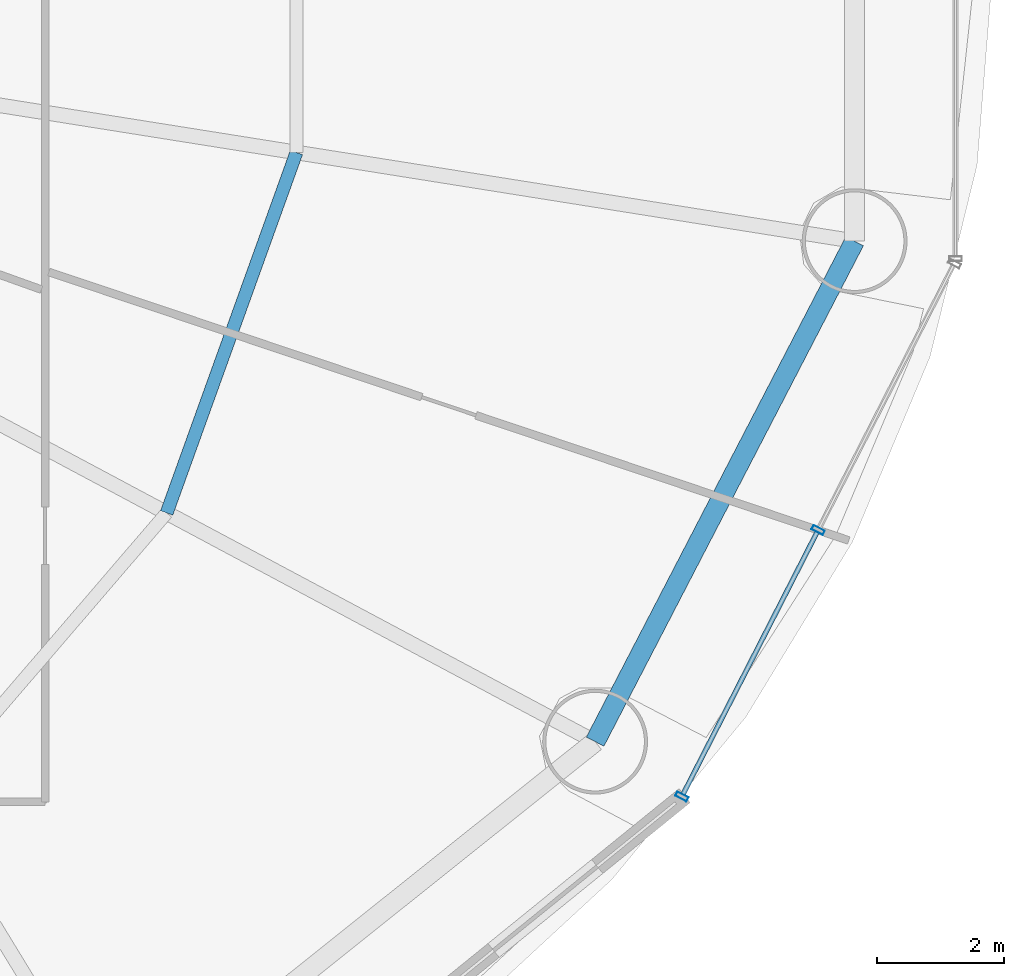
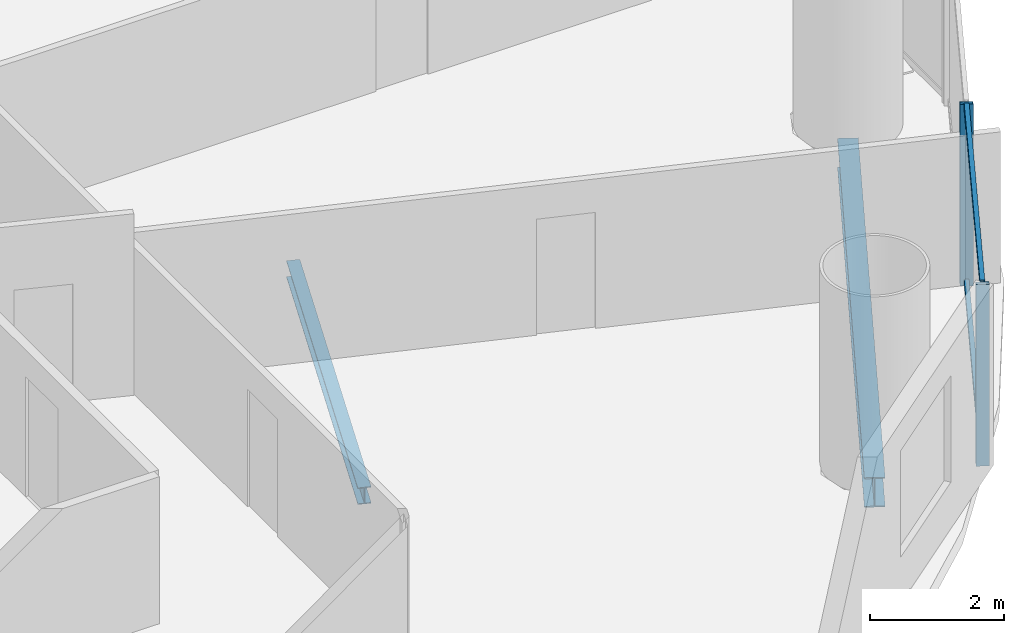
# One storey, part 13 of 30: 4 members, 2 beams, 1 element without a shape of its own.
"""IFC4 building model written with IfcOpenShell, lengths in metres."""

from ifc_helpers import new_model, si_unit, direction, frame, origin, origin_2d, place, context, subcontext, project, spatial, hollow_rectangle, i_section, extrude, source, transform, mapped, material, material_profile, profile_set, type_object, element, aggregate, save


model = new_model("IFC4")

# Units and contexts
model_context = context("Model", 3, precision=1e-05, world=origin(), true_north=direction((-0.2419218956, 0.970295726276)))
body_context = subcontext(model_context, "Body", "Model", "MODEL_VIEW")
ifc_project = project(units=[si_unit("LENGTHUNIT", "METRE"), si_unit("AREAUNIT", "SQUARE_METRE"), si_unit("VOLUMEUNIT", "CUBIC_METRE"), si_unit("PLANEANGLEUNIT", "RADIAN"), si_unit("MASSUNIT", "GRAM", prefix="KILO")], contexts=[model_context])

# Site, building, storey
site_placement = place(None, origin())
site = spatial("IfcSite", under=ifc_project, at=site_placement, CompositionType="ELEMENT")
building_placement = place(site_placement, origin())
building = spatial("IfcBuilding", under=site, at=building_placement, Name="Cobrevalo Terracotta Tower", CompositionType="ELEMENT")
storey_placement = place(building_placement, frame((0.0, 0.0, 56.39990234375)))
storey = spatial("IfcBuildingStorey", under=building, at=storey_placement, Name="L14", CompositionType="ELEMENT", Elevation=56.39990234375)

# Beams
ifc_material_1 = material(Name="Steel S355", Category="steel")
ifc_material_profile_1 = material_profile(ifc_material_1, i_section(OverallWidth=0.2041015625, OverallDepth=0.305908203125, WebThickness=0.008544921875, FlangeThickness=0.0146484375, at=origin_2d()), Name="W 310x67")
ifc_profile_set_1 = profile_set([ifc_material_profile_1], Name="Steel S355")
beam_type_1 = type_object("IfcBeamType", Name="Structural Joist W 310x67 (Steel S355)", PredefinedType="JOIST", material=ifc_profile_set_1)
beam_1_placement = place(storey_placement, frame((53.997802734375, 18.26025390625, -0.432861328125), z_axis=(0.338672151116, 0.940904444701, 0.0), x_axis=(-0.940904444701, 0.338672151116, 0.0)))
element("IfcBeam", 1, at=beam_1_placement, inside=storey, type_object=beam_type_1, Name="L14 circumferential secondary floor joist 15", PredefinedType="JOIST", context=body_context, shape_type="SweptSolid", body=[
    extrude(i_section(OverallWidth=0.2041015625, OverallDepth=0.305908203125, WebThickness=0.008544921875, FlangeThickness=0.0146484375, at=origin_2d()), origin(), (0.0, 0.0, 1.0), 6.029296875),
])
ifc_material_profile_2 = material_profile(ifc_material_1, i_section(OverallWidth=0.31201171875, OverallDepth=0.54296875, WebThickness=0.0126953125, FlangeThickness=0.020263671875, at=origin_2d()), Name="W 530x150")
ifc_profile_set_2 = profile_set([ifc_material_profile_2], Name="Steel S355")
beam_type_2 = type_object("IfcBeamType", Name="Structural Spandrel W 530x150 (Steel S355)", PredefinedType="SPANDREL", material=ifc_profile_set_2)
beam_2_placement = place(storey_placement, frame((60.74072265625, 14.660888671875, -0.551513671875), z_axis=(0.460285838799, 0.88777077368, 0.0), x_axis=(-0.88777077368, 0.460285838799, 0.0)))
element("IfcBeam", 2, at=beam_2_placement, inside=storey, type_object=beam_type_2, Name="L14 perimeter ring spandrel 15", PredefinedType="SPANDREL", context=body_context, shape_type="SweptSolid", body=[
    extrude(i_section(OverallWidth=0.31201171875, OverallDepth=0.54296875, WebThickness=0.0126953125, FlangeThickness=0.020263671875, at=origin_2d()), origin(), (0.0, 0.0, 1.0), 8.8720703125),
])

# Curtain wall, members
ifc_material_2 = material(Name="Anodized aluminium", Category="aluminium")
curtain_wall_type = type_object("IfcCurtainWallType", Name="Lower-tower unitised acoustic low-E curtain wall CW-U1", PredefinedType="NOTDEFINED", material=ifc_material_2)
curtain_wall_placement = place(storey_placement, origin())
curtain_wall = element("IfcCurtainWall", 3, at=curtain_wall_placement, inside=storey, type_object=curtain_wall_type, Name="L14 curtain wall CW-L14-S15", PredefinedType="NOTDEFINED")
ifc_material_profile_3 = material_profile(ifc_material_2, hollow_rectangle(XDim=0.074951171875, YDim=0.199951171875, WallThickness=0.0048828125, at=origin_2d()), Name="CWM 75x200")
ifc_profile_set_3 = profile_set([ifc_material_profile_3], Name="Anodized aluminium")
member_type_1 = type_object("IfcMemberType", Name="Lower/mid tower unitised mullion 75x200", PredefinedType="MULLION", material=ifc_profile_set_3)
shared_shape_1 = source(origin(), body_context, "Body", "SweptSolid", [
    extrude(hollow_rectangle(XDim=0.074951171875, YDim=0.199951171875, WallThickness=0.0048828125, at=origin_2d()), origin(), (0.0, 0.0, 1.0), 3.320068359375),
])
member_1_placement = place(storey_placement, frame((62.10595703125, 13.79638671875, 0.0), z_axis=(0.0, 0.0, 1.0), x_axis=(0.455234136597, 0.890371765543, 0.0)))
member_1 = element("IfcMember", 4, at=member_1_placement, type_object=member_type_1, Name="CW-L14-S15 vertical mullion 01", PredefinedType="MULLION", context=body_context, shape_type="MappedRepresentation", body=[
    mapped(shared_shape_1, transform((0.0, 0.0, 0.0), scale=1.0)),
])
member_2_placement = place(storey_placement, frame((64.25048828125, 17.990966796875, 0.0), z_axis=(0.0, 0.0, 1.0), x_axis=(0.455234136597, 0.890371765543, 0.0)))
member_2 = element("IfcMember", 5, at=member_2_placement, type_object=member_type_1, Name="CW-L14-S15 vertical mullion 02", PredefinedType="MULLION", context=body_context, shape_type="MappedRepresentation", body=[
    mapped(shared_shape_1, transform((0.0, 0.0, 0.0), scale=1.0)),
])
ifc_material_profile_4 = material_profile(ifc_material_2, hollow_rectangle(XDim=0.074951171875, YDim=0.14990234375, WallThickness=0.00439453125, at=origin_2d()), Name="CWT 75x150")
ifc_profile_set_4 = profile_set([ifc_material_profile_4], Name="Anodized aluminium")
member_type_2 = type_object("IfcMemberType", Name="Tower unitised aluminium transom 75x150", PredefinedType="USERDEFINED", material=ifc_profile_set_4)
shared_shape_2 = source(origin(), body_context, "Body", "SweptSolid", [
    extrude(hollow_rectangle(XDim=0.074951171875, YDim=0.14990234375, WallThickness=0.00439453125, at=origin_2d()), origin(), (0.0, 0.0, 1.0), 4.631103515625),
])
member_3_placement = place(storey_placement, frame((62.1240234375, 13.83203125, 0.050048828125), z_axis=(0.455271744945, 0.89035253594, 0.0), x_axis=(-0.89035253594, 0.455271744945, 0.0)))
member_3 = element("IfcMember", 6, at=member_3_placement, type_object=member_type_2, Name="CW-L14-S15 transom B01-T1", ObjectType="TRANSOM", PredefinedType="USERDEFINED", context=body_context, shape_type="MappedRepresentation", body=[
    mapped(shared_shape_2, transform((0.0, 0.0, 0.0), scale=1.0)),
])
member_4_placement = place(storey_placement, frame((62.1240234375, 13.83203125, 3.27001953125), z_axis=(0.455271744945, 0.89035253594, 0.0), x_axis=(-0.89035253594, 0.455271744945, 0.0)))
member_4 = element("IfcMember", 7, at=member_4_placement, type_object=member_type_2, Name="CW-L14-S15 transom B01-T2", ObjectType="TRANSOM", PredefinedType="USERDEFINED", context=body_context, shape_type="MappedRepresentation", body=[
    mapped(shared_shape_2, transform((0.0, 0.0, 0.0), scale=1.0)),
])
aggregate(curtain_wall, [member_1, member_2, member_3, member_4])

save(model, "model.ifc")
